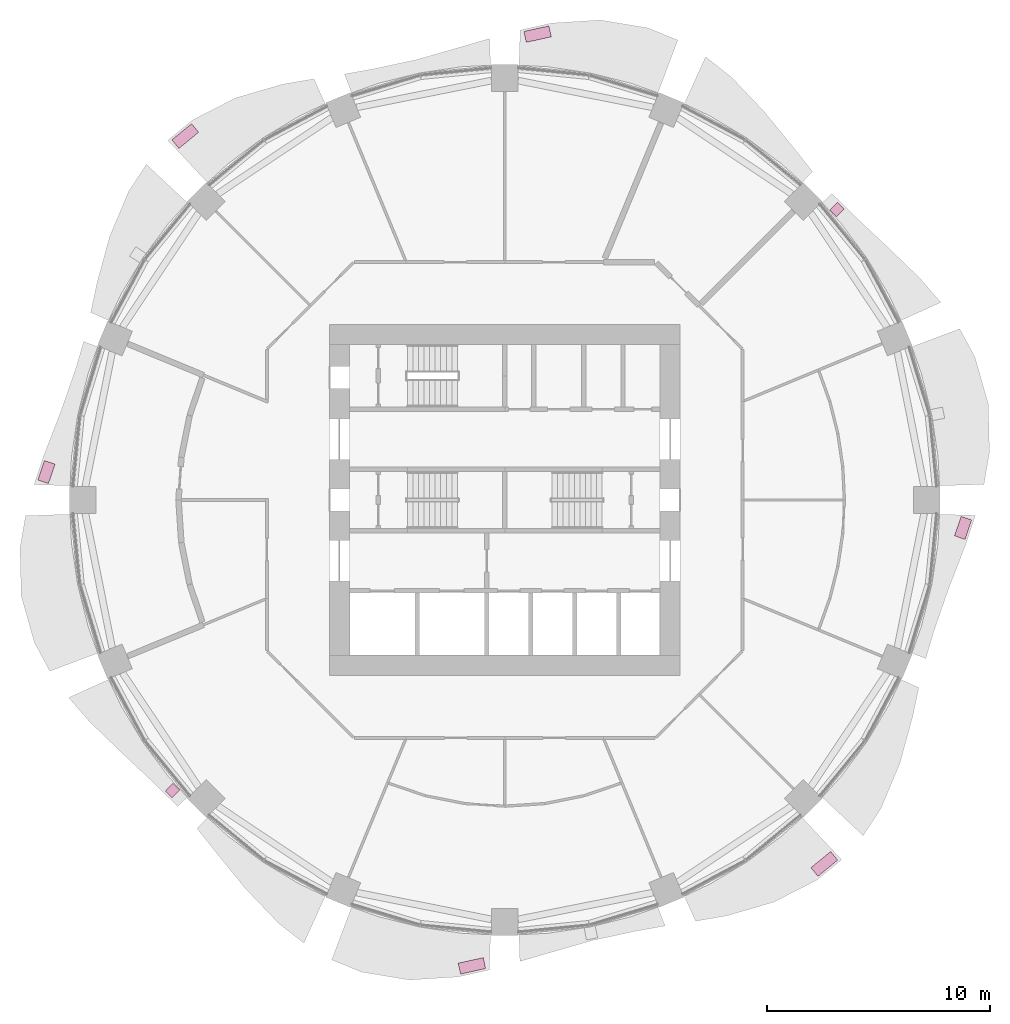
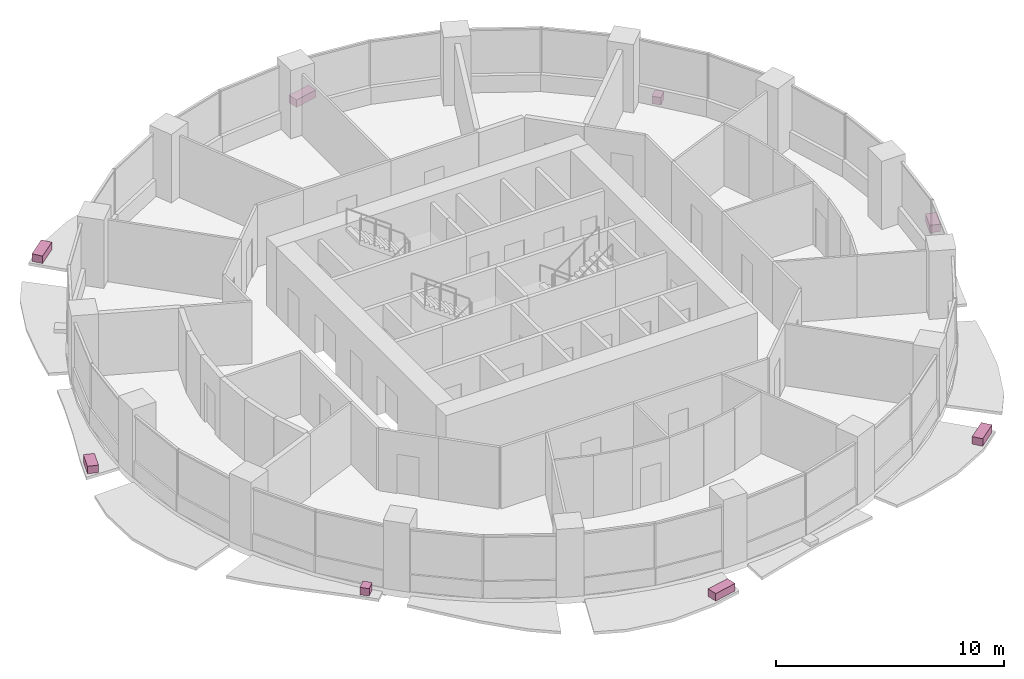
# One storey, part 15 of 15: 8 furniture elements.
"""IFC4 building model written with IfcOpenShell, lengths in metres."""

from ifc_helpers import new_model, si_unit, direction, frame, origin, origin_2d, place, context, subcontext, project, spatial, rectangle, extrude, material, type_object, element, save


model = new_model("IFC4")

# Units and contexts
model_context = context("Model", 3, precision=1e-05, world=origin(), true_north=direction((0.0, 1.0)))
body_context = subcontext(model_context, "Body", "Model", "MODEL_VIEW")
ifc_project = project(units=[si_unit("LENGTHUNIT", "METRE"), si_unit("AREAUNIT", "SQUARE_METRE"), si_unit("VOLUMEUNIT", "CUBIC_METRE"), si_unit("PLANEANGLEUNIT", "RADIAN"), si_unit("MASSUNIT", "GRAM", prefix="KILO")], contexts=[model_context])

# Site, building, storey
site_placement = place(None, origin())
site = spatial("IfcSite", under=ifc_project, at=site_placement, CompositionType="ELEMENT")
building_placement = place(site_placement, origin())
building = spatial("IfcBuilding", under=site, at=building_placement, Name="Polderwave Tower", CompositionType="ELEMENT")
storey_placement = place(building_placement, frame((0.0, 0.0, 59.050048828125)))
storey = spatial("IfcBuildingStorey", under=building, at=storey_placement, Name="L15", CompositionType="ELEMENT", Elevation=59.050048828125)

# Furniture
ifc_material = material(Name="Terracotta", Category="masonry")
furniture_type = type_object("IfcFurnitureType", Name="Terracotta planting trough", AssemblyPlace="NOTDEFINED", PredefinedType="USERDEFINED", material=ifc_material)
furniture_1_placement = place(storey_placement, frame((14.906494140625, 13.0390625, -0.199951171875), z_axis=(0.0, 0.0, 1.0), x_axis=(-0.709257062504, 0.704949940981, 0.0)))
element("IfcFurniture", 1, at=furniture_1_placement, inside=storey, type_object=furniture_type, Name="Planting trough L15 2", ObjectType="PLANTER", PredefinedType="USERDEFINED", context=body_context, shape_type="SweptSolid", body=[
    extrude(rectangle(XDim=0.423095703125, YDim=0.5, at=origin_2d()), origin(), (0.0, 0.0, 1.0), 0.39990234375),
])
furniture_2_placement = place(storey_placement, frame((1.474365234375, 20.905517578125, -0.199951171875), z_axis=(0.0, 0.0, 1.0), x_axis=(-0.976543176667, -0.215321675885, 0.0)))
element("IfcFurniture", 2, at=furniture_2_placement, inside=storey, type_object=furniture_type, Name="Planting trough L15 4", ObjectType="PLANTER", PredefinedType="USERDEFINED", context=body_context, shape_type="SweptSolid", body=[
    extrude(rectangle(XDim=1.152099609375, YDim=0.5, at=origin_2d()), origin(), (0.0, 0.0, 1.0), 0.39990234375),
])
furniture_3_placement = place(storey_placement, frame((-14.339111328125, 16.331298828125, -0.199951171875), z_axis=(0.0, 0.0, 1.0), x_axis=(-0.77360801154, -0.633664457329, 0.0)))
element("IfcFurniture", 3, at=furniture_3_placement, inside=storey, type_object=furniture_type, Name="Planting trough L15 6", ObjectType="PLANTER", PredefinedType="USERDEFINED", context=body_context, shape_type="SweptSolid", body=[
    extrude(rectangle(XDim=1.147216796875, YDim=0.5, at=origin_2d()), origin(), (0.0, 0.0, 1.0), 0.39990234375),
])
furniture_4_placement = place(storey_placement, frame((-20.56689453125, 1.252197265625, -0.199951171875), z_axis=(0.0, 0.0, 1.0), x_axis=(-0.318454742911, -0.947938065866, 0.0)))
element("IfcFurniture", 4, at=furniture_4_placement, inside=storey, type_object=furniture_type, Name="Planting trough L15 8", ObjectType="PLANTER", PredefinedType="USERDEFINED", context=body_context, shape_type="SweptSolid", body=[
    extrude(rectangle(XDim=0.9189453125, YDim=0.5, at=origin_2d()), origin(), (0.0, 0.0, 1.0), 0.39990234375),
])
furniture_5_placement = place(storey_placement, frame((-14.906494140625, -13.0390625, -0.199951171875), z_axis=(0.0, 0.0, 1.0), x_axis=(0.709257062504, -0.704949940981, 0.0)))
element("IfcFurniture", 5, at=furniture_5_placement, inside=storey, type_object=furniture_type, Name="Planting trough L15 10", ObjectType="PLANTER", PredefinedType="USERDEFINED", context=body_context, shape_type="SweptSolid", body=[
    extrude(rectangle(XDim=0.423095703125, YDim=0.5, at=origin_2d()), origin(), (0.0, 0.0, 1.0), 0.39990234375),
])
furniture_6_placement = place(storey_placement, frame((-1.474365234375, -20.905517578125, -0.199951171875), z_axis=(0.0, 0.0, 1.0), x_axis=(0.976543176667, 0.215321675885, 0.0)))
element("IfcFurniture", 6, at=furniture_6_placement, inside=storey, type_object=furniture_type, Name="Planting trough L15 12", ObjectType="PLANTER", PredefinedType="USERDEFINED", context=body_context, shape_type="SweptSolid", body=[
    extrude(rectangle(XDim=1.152099609375, YDim=0.5, at=origin_2d()), origin(), (0.0, 0.0, 1.0), 0.39990234375),
])
furniture_7_placement = place(storey_placement, frame((14.339111328125, -16.331298828125, -0.199951171875), z_axis=(0.0, 0.0, 1.0), x_axis=(0.77360801154, 0.633664457329, 0.0)))
element("IfcFurniture", 7, at=furniture_7_placement, inside=storey, type_object=furniture_type, Name="Planting trough L15 14", ObjectType="PLANTER", PredefinedType="USERDEFINED", context=body_context, shape_type="SweptSolid", body=[
    extrude(rectangle(XDim=1.147216796875, YDim=0.5, at=origin_2d()), origin(), (0.0, 0.0, 1.0), 0.39990234375),
])
furniture_8_placement = place(storey_placement, frame((20.56689453125, -1.252197265625, -0.199951171875), z_axis=(0.0, 0.0, 1.0), x_axis=(0.318454742911, 0.947938065866, 0.0)))
element("IfcFurniture", 8, at=furniture_8_placement, inside=storey, type_object=furniture_type, Name="Planting trough L15 16", ObjectType="PLANTER", PredefinedType="USERDEFINED", context=body_context, shape_type="SweptSolid", body=[
    extrude(rectangle(XDim=0.9189453125, YDim=0.5, at=origin_2d()), origin(), (0.0, 0.0, 1.0), 0.39990234375),
])

save(model, "model.ifc")
